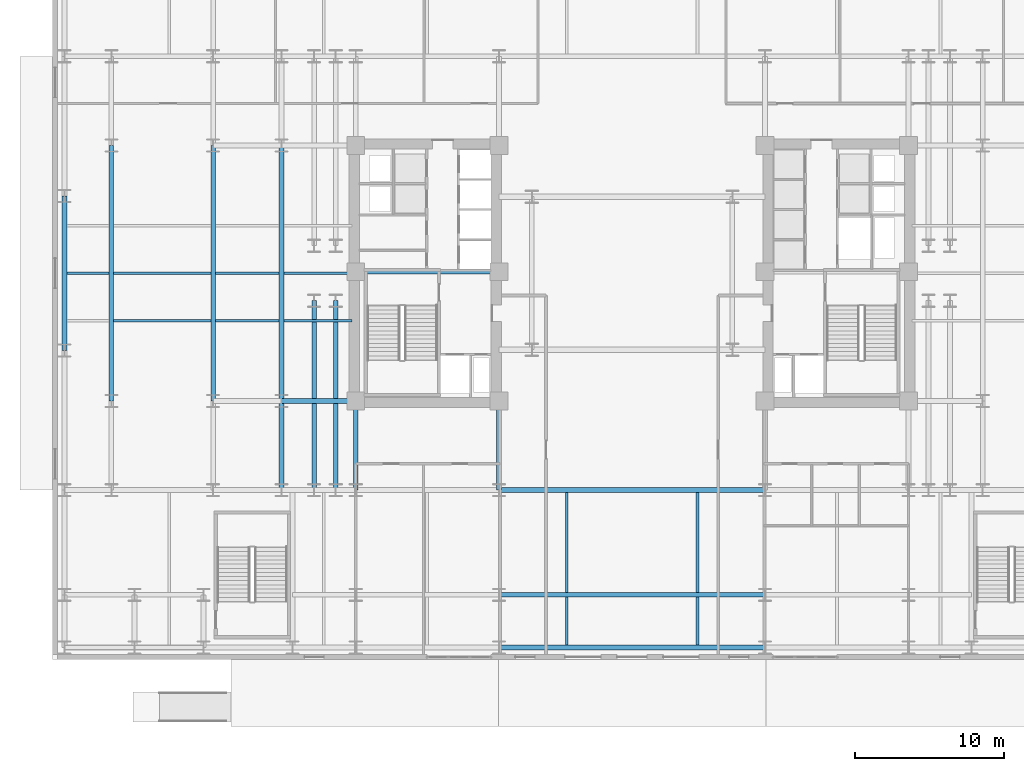
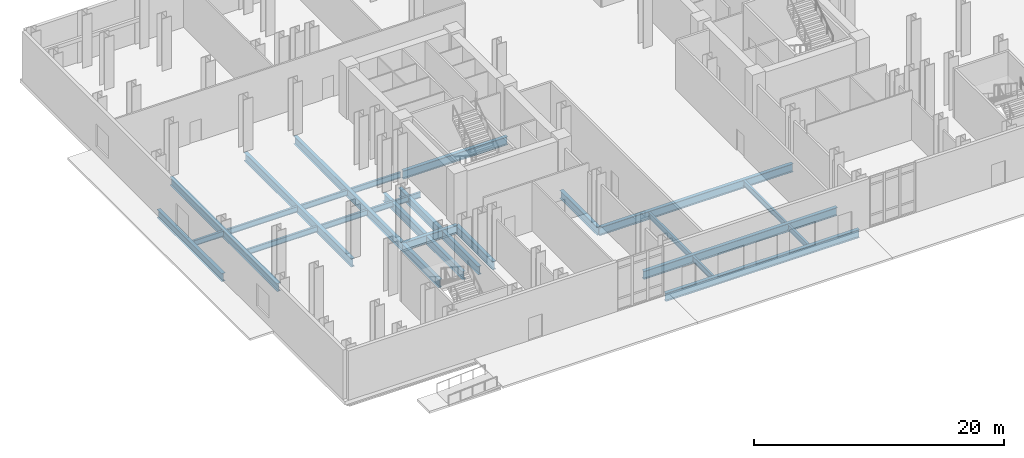
# One storey, part 3 of 21: 25 beams.
"""IFC4 building model written with IfcOpenShell, lengths in metres."""

from ifc_helpers import new_model, si_unit, direction, frame, origin, origin_2d, place, context, subcontext, project, spatial, i_section, extrude, material, material_profile, profile_set, type_object, element, save


model = new_model("IFC4")

# Units and contexts
model_context = context("Model", 3, precision=1e-05, world=origin(), true_north=direction((0.0, 1.0)))
body_context = subcontext(model_context, "Body", "Model", "MODEL_VIEW")
ifc_project = project(units=[si_unit("LENGTHUNIT", "METRE"), si_unit("AREAUNIT", "SQUARE_METRE"), si_unit("VOLUMEUNIT", "CUBIC_METRE"), si_unit("PLANEANGLEUNIT", "RADIAN"), si_unit("MASSUNIT", "GRAM", prefix="KILO")], contexts=[model_context])

# Site, building, storey
site_placement = place(None, origin())
site = spatial("IfcSite", under=ifc_project, at=site_placement, CompositionType="ELEMENT")
building_placement = place(site_placement, origin())
building = spatial("IfcBuilding", under=site, at=building_placement, Name="Velakula Bourse", CompositionType="ELEMENT")
storey_placement = place(building_placement, origin())
storey = spatial("IfcBuildingStorey", under=building, at=storey_placement, Name="L00", CompositionType="ELEMENT", Elevation=0.0)

# Beams
ifc_material = material(Name="Steel IS 2062 Grade 350 (E350)", Category="steel")
ifc_material_profile_1 = material_profile(ifc_material, i_section(OverallWidth=0.320068359375, OverallDepth=0.800048828125, WebThickness=0.01806640625, FlangeThickness=0.028076171875, at=origin_2d()), Name="Steel IS 2062 Grade 350 (E350)")
ifc_profile_set_1 = profile_set([ifc_material_profile_1], Name="Steel IS 2062 Grade 350 (E350)")
beam_type_1 = type_object("IfcBeamType", Name="BM-POD-800", PredefinedType="BEAM", material=ifc_profile_set_1)
beam_1_placement = place(storey_placement, frame((-18.60009765625, 0.10009765625, -0.75), z_axis=(1.0, 0.0, 0.0), x_axis=(0.0, 1.0, 0.0)))
element("IfcBeam", 1, at=beam_1_placement, inside=storey, type_object=beam_type_1, Name="L00 Primary Backbone Girder CRW-M", PredefinedType="BEAM", context=body_context, shape_type="SweptSolid", body=[
    extrude(i_section(OverallWidth=0.320068359375, OverallDepth=0.800048828125, WebThickness=0.01806640625, FlangeThickness=0.028076171875, at=origin_2d()), origin(), (0.0, 0.0, 1.0), 9.650146484375),
])
for number, where, z_axis, x_axis, name in (
    (2, (-18.60009765625, -14.60009765625, -0.75), (0.0, 1.0, 0.0), (-1.0, 0.0, 0.0), "L00 Fulcrum Grid Girder FLC-WS"),
    (3, (-8.949951171875, -14.60009765625, -0.75), (0.0, 1.0, 0.0), (-1.0, 0.0, 0.0), "L00 Fulcrum Grid Girder FLC-WCS"),
):
    element("IfcBeam", number, at=place(storey_placement, frame(where, z_axis=z_axis, x_axis=x_axis)), inside=storey, type_object=beam_type_1, Name=name, PredefinedType="BEAM", context=body_context, shape_type="SweptSolid", body=[
        extrude(i_section(OverallWidth=0.320068359375, OverallDepth=0.800048828125, WebThickness=0.01806640625, FlangeThickness=0.028076171875, at=origin_2d()), origin(), (0.0, 0.0, 1.0), 6.0),
    ])
beam_2_placement = place(storey_placement, frame((-8.949951171875, -14.60009765625, -0.75), z_axis=(1.0, 0.0, 0.0), x_axis=(0.0, 1.0, 0.0)))
element("IfcBeam", 4, at=beam_2_placement, inside=storey, type_object=beam_type_1, Name="L00 Fulcrum Grid Girder FLC-S2", PredefinedType="BEAM", context=body_context, shape_type="SweptSolid", body=[
    extrude(i_section(OverallWidth=0.320068359375, OverallDepth=0.800048828125, WebThickness=0.01806640625, FlangeThickness=0.028076171875, at=origin_2d()), origin(), (0.0, 0.0, 1.0), 17.89990234375),
])
for number, where, z_axis, x_axis, name in (
    (5, (-21.39990234375, -14.60009765625, -0.75), (0.0, 1.0, 0.0), (-1.0, 0.0, 0.0), "L00 Fulcrum Grid Girder FLC-PSW1"),
    (6, (-19.949951171875, -14.60009765625, -0.75), (0.0, 1.0, 0.0), (-1.0, 0.0, 0.0), "L00 Fulcrum Grid Girder FLC-PSW2"),
):
    element("IfcBeam", number, at=place(storey_placement, frame(where, z_axis=z_axis, x_axis=x_axis)), inside=storey, type_object=beam_type_1, Name=name, PredefinedType="BEAM", context=body_context, shape_type="SweptSolid", body=[
        extrude(i_section(OverallWidth=0.320068359375, OverallDepth=0.800048828125, WebThickness=0.01806640625, FlangeThickness=0.028076171875, at=origin_2d()), origin(), (0.0, 0.0, 1.0), 12.75),
    ])
beam_3_placement = place(storey_placement, frame((-23.60009765625, -8.60009765625, -0.75), z_axis=(1.0, 0.0, 0.0), x_axis=(0.0, 1.0, 0.0)))
element("IfcBeam", 7, at=beam_3_placement, inside=storey, type_object=beam_type_1, Name="L00 Fulcrum Grid Girder MWG-WS2", PredefinedType="BEAM", context=body_context, shape_type="SweptSolid", body=[
    extrude(i_section(OverallWidth=0.320068359375, OverallDepth=0.800048828125, WebThickness=0.01806640625, FlangeThickness=0.028076171875, at=origin_2d()), origin(), (0.0, 0.0, 1.0), 5.0),
])
beam_4_placement = place(storey_placement, frame((-23.60009765625, -14.60009765625, -0.75), z_axis=(0.0, 1.0, 0.0), x_axis=(-1.0, 0.0, 0.0)))
element("IfcBeam", 8, at=beam_4_placement, inside=storey, type_object=beam_type_1, Name="L00 Fulcrum Grid Girder MWG-WNS1", PredefinedType="BEAM", context=body_context, shape_type="SweptSolid", body=[
    extrude(i_section(OverallWidth=0.320068359375, OverallDepth=0.800048828125, WebThickness=0.01806640625, FlangeThickness=0.028076171875, at=origin_2d()), origin(), (0.0, 0.0, 1.0), 6.0),
])
for number, where, z_axis, x_axis, name in (
    (9, (-23.60009765625, -8.60009765625, -0.75), (0.0, 1.0, 0.0), (-1.0, 0.0, 0.0), "L00 Fulcrum Grid Girder MWG-WNS2"),
    (10, (-28.199951171875, -8.60009765625, -0.75), (0.0, 1.0, 0.0), (-1.0, 0.0, 0.0), "L00 Fulcrum Grid Girder WNG-WNS2"),
):
    element("IfcBeam", number, at=place(storey_placement, frame(where, z_axis=z_axis, x_axis=x_axis)), inside=storey, type_object=beam_type_1, Name=name, PredefinedType="BEAM", context=body_context, shape_type="SweptSolid", body=[
        extrude(i_section(OverallWidth=0.320068359375, OverallDepth=0.800048828125, WebThickness=0.01806640625, FlangeThickness=0.028076171875, at=origin_2d()), origin(), (0.0, 0.0, 1.0), 17.2001953125),
    ])
for number, where, z_axis, x_axis, name in (
    (11, (-8.949951171875, -25.199951171875, -0.75), (1.0, 0.0, 0.0), (0.0, 1.0, 0.0), "L00 Podium E-W Girder 06"),
    (12, (-8.949951171875, -21.64990234375, -0.75), (1.0, 0.0, 0.0), (0.0, 1.0, 0.0), "L00 Podium E-W Girder 16"),
):
    element("IfcBeam", number, at=place(storey_placement, frame(where, z_axis=z_axis, x_axis=x_axis)), inside=storey, type_object=beam_type_1, Name=name, PredefinedType="BEAM", context=body_context, shape_type="SweptSolid", body=[
        extrude(i_section(OverallWidth=0.320068359375, OverallDepth=0.800048828125, WebThickness=0.01806640625, FlangeThickness=0.028076171875, at=origin_2d()), origin(), (0.0, 0.0, 1.0), 17.89990234375),
    ])
beam_5_placement = place(storey_placement, frame((-38.199951171875, -5.199951171875, -0.75), z_axis=(0.0, 1.0, 0.0), x_axis=(-1.0, 0.0, 0.0)))
element("IfcBeam", 13, at=beam_5_placement, inside=storey, type_object=beam_type_1, Name="L00 Podium N-S Girder 68", PredefinedType="BEAM", context=body_context, shape_type="SweptSolid", body=[
    extrude(i_section(OverallWidth=0.320068359375, OverallDepth=0.800048828125, WebThickness=0.01806640625, FlangeThickness=0.028076171875, at=origin_2d()), origin(), (0.0, 0.0, 1.0), 10.39990234375),
])
beam_6_placement = place(storey_placement, frame((-35.050048828125, -8.60009765625, -0.75), z_axis=(0.0, 1.0, 0.0), x_axis=(-1.0, 0.0, 0.0)))
element("IfcBeam", 14, at=beam_6_placement, inside=storey, type_object=beam_type_1, Name="L00 Podium N-S Girder 73", PredefinedType="BEAM", context=body_context, shape_type="SweptSolid", body=[
    extrude(i_section(OverallWidth=0.320068359375, OverallDepth=0.800048828125, WebThickness=0.01806640625, FlangeThickness=0.028076171875, at=origin_2d()), origin(), (0.0, 0.0, 1.0), 17.2001953125),
])
ifc_material_profile_2 = material_profile(ifc_material, i_section(OverallWidth=0.18994140625, OverallDepth=0.550048828125, WebThickness=0.01123046875, FlangeThickness=0.019287109375, at=origin_2d()), Name="Steel IS 2062 Grade 350 (E350)")
ifc_profile_set_2 = profile_set([ifc_material_profile_2], Name="Steel IS 2062 Grade 350 (E350)")
beam_type_2 = type_object("IfcBeamType", Name="JST-POD-550", PredefinedType="JOIST", material=ifc_profile_set_2)
beam_7_placement = place(storey_placement, frame((-4.39990234375, -25.0400390625, -0.625), z_axis=(0.0, 1.0, 0.0), x_axis=(-1.0, 0.0, 0.0)))
element("IfcBeam", 15, at=beam_7_placement, inside=storey, type_object=beam_type_2, Name="L00 Station Podium Floor Joist 13", PredefinedType="JOIST", context=body_context, shape_type="SweptSolid", body=[
    extrude(i_section(OverallWidth=0.18994140625, OverallDepth=0.550048828125, WebThickness=0.01123046875, FlangeThickness=0.019287109375, at=origin_2d()), origin(), (0.0, 0.0, 1.0), 3.22998046875),
])
beam_8_placement = place(storey_placement, frame((-4.39990234375, -21.489990234375, -0.625), z_axis=(0.0, 1.0, 0.0), x_axis=(-1.0, 0.0, 0.0)))
element("IfcBeam", 16, at=beam_8_placement, inside=storey, type_object=beam_type_2, Name="L00 Station Podium Floor Joist 14", PredefinedType="JOIST", context=body_context, shape_type="SweptSolid", body=[
    extrude(i_section(OverallWidth=0.18994140625, OverallDepth=0.550048828125, WebThickness=0.01123046875, FlangeThickness=0.019287109375, at=origin_2d()), origin(), (0.0, 0.0, 1.0), 6.72998046875),
])
beam_9_placement = place(storey_placement, frame((4.39990234375, -25.0400390625, -0.625), z_axis=(0.0, 1.0, 0.0), x_axis=(-1.0, 0.0, 0.0)))
element("IfcBeam", 17, at=beam_9_placement, inside=storey, type_object=beam_type_2, Name="L00 Station Podium Floor Joist 17", PredefinedType="JOIST", context=body_context, shape_type="SweptSolid", body=[
    extrude(i_section(OverallWidth=0.18994140625, OverallDepth=0.550048828125, WebThickness=0.01123046875, FlangeThickness=0.019287109375, at=origin_2d()), origin(), (0.0, 0.0, 1.0), 3.22998046875),
])
beam_10_placement = place(storey_placement, frame((4.39990234375, -21.489990234375, -0.625), z_axis=(0.0, 1.0, 0.0), x_axis=(-1.0, 0.0, 0.0)))
element("IfcBeam", 18, at=beam_10_placement, inside=storey, type_object=beam_type_2, Name="L00 Station Podium Floor Joist 18", PredefinedType="JOIST", context=body_context, shape_type="SweptSolid", body=[
    extrude(i_section(OverallWidth=0.18994140625, OverallDepth=0.550048828125, WebThickness=0.01123046875, FlangeThickness=0.019287109375, at=origin_2d()), origin(), (0.0, 0.0, 1.0), 6.72998046875),
])
beam_11_placement = place(storey_placement, frame((-34.889892578125, -3.199951171875, -0.625), z_axis=(1.0, 0.0, 0.0), x_axis=(0.0, 1.0, 0.0)))
element("IfcBeam", 19, at=beam_11_placement, inside=storey, type_object=beam_type_2, Name="L00 Station Wing Floor Joist 34", PredefinedType="JOIST", context=body_context, shape_type="SweptSolid", body=[
    extrude(i_section(OverallWidth=0.18994140625, OverallDepth=0.550048828125, WebThickness=0.01123046875, FlangeThickness=0.019287109375, at=origin_2d()), origin(), (0.0, 0.0, 1.0), 6.52978515625),
])
beam_12_placement = place(storey_placement, frame((-28.0400390625, -3.199951171875, -0.625), z_axis=(1.0, 0.0, 0.0), x_axis=(0.0, 1.0, 0.0)))
element("IfcBeam", 20, at=beam_12_placement, inside=storey, type_object=beam_type_2, Name="L00 Station Wing Floor Joist 35", PredefinedType="JOIST", context=body_context, shape_type="SweptSolid", body=[
    extrude(i_section(OverallWidth=0.18994140625, OverallDepth=0.550048828125, WebThickness=0.01123046875, FlangeThickness=0.019287109375, at=origin_2d()), origin(), (0.0, 0.0, 1.0), 4.280029296875),
])
beam_13_placement = place(storey_placement, frame((-23.43994140625, -3.199951171875, -0.625), z_axis=(1.0, 0.0, 0.0), x_axis=(0.0, 1.0, 0.0)))
element("IfcBeam", 21, at=beam_13_placement, inside=storey, type_object=beam_type_2, Name="L00 Station Wing Floor Joist 36", PredefinedType="JOIST", context=body_context, shape_type="SweptSolid", body=[
    extrude(i_section(OverallWidth=0.18994140625, OverallDepth=0.550048828125, WebThickness=0.01123046875, FlangeThickness=0.019287109375, at=origin_2d()), origin(), (0.0, 0.0, 1.0), 4.58984375),
])
beam_14_placement = place(storey_placement, frame((-38.0400390625, 0.0, -0.625), z_axis=(1.0, 0.0, 0.0), x_axis=(0.0, 1.0, 0.0)))
element("IfcBeam", 22, at=beam_14_placement, inside=storey, type_object=beam_type_2, Name="L00 Station Wing Floor Joist 41", PredefinedType="JOIST", context=body_context, shape_type="SweptSolid", body=[
    extrude(i_section(OverallWidth=0.18994140625, OverallDepth=0.550048828125, WebThickness=0.01123046875, FlangeThickness=0.019287109375, at=origin_2d()), origin(), (0.0, 0.0, 1.0), 2.830078125),
])
beam_15_placement = place(storey_placement, frame((-34.889892578125, 0.0, -0.625), z_axis=(1.0, 0.0, 0.0), x_axis=(0.0, 1.0, 0.0)))
element("IfcBeam", 23, at=beam_15_placement, inside=storey, type_object=beam_type_2, Name="L00 Station Wing Floor Joist 42", PredefinedType="JOIST", context=body_context, shape_type="SweptSolid", body=[
    extrude(i_section(OverallWidth=0.18994140625, OverallDepth=0.550048828125, WebThickness=0.01123046875, FlangeThickness=0.019287109375, at=origin_2d()), origin(), (0.0, 0.0, 1.0), 6.52978515625),
])
beam_16_placement = place(storey_placement, frame((-28.0400390625, 0.0, -0.625), z_axis=(1.0, 0.0, 0.0), x_axis=(0.0, 1.0, 0.0)))
element("IfcBeam", 24, at=beam_16_placement, inside=storey, type_object=beam_type_2, Name="L00 Station Wing Floor Joist 43", PredefinedType="JOIST", context=body_context, shape_type="SweptSolid", body=[
    extrude(i_section(OverallWidth=0.18994140625, OverallDepth=0.550048828125, WebThickness=0.01123046875, FlangeThickness=0.019287109375, at=origin_2d()), origin(), (0.0, 0.0, 1.0), 4.280029296875),
])
beam_17_placement = place(storey_placement, frame((-23.43994140625, 0.0, -0.625), z_axis=(1.0, 0.0, 0.0), x_axis=(0.0, 1.0, 0.0)))
element("IfcBeam", 25, at=beam_17_placement, inside=storey, type_object=beam_type_2, Name="L00 Station Wing Floor Joist 44", PredefinedType="JOIST", context=body_context, shape_type="SweptSolid", body=[
    extrude(i_section(OverallWidth=0.18994140625, OverallDepth=0.550048828125, WebThickness=0.01123046875, FlangeThickness=0.019287109375, at=origin_2d()), origin(), (0.0, 0.0, 1.0), 4.58984375),
])

save(model, "model.ifc")
